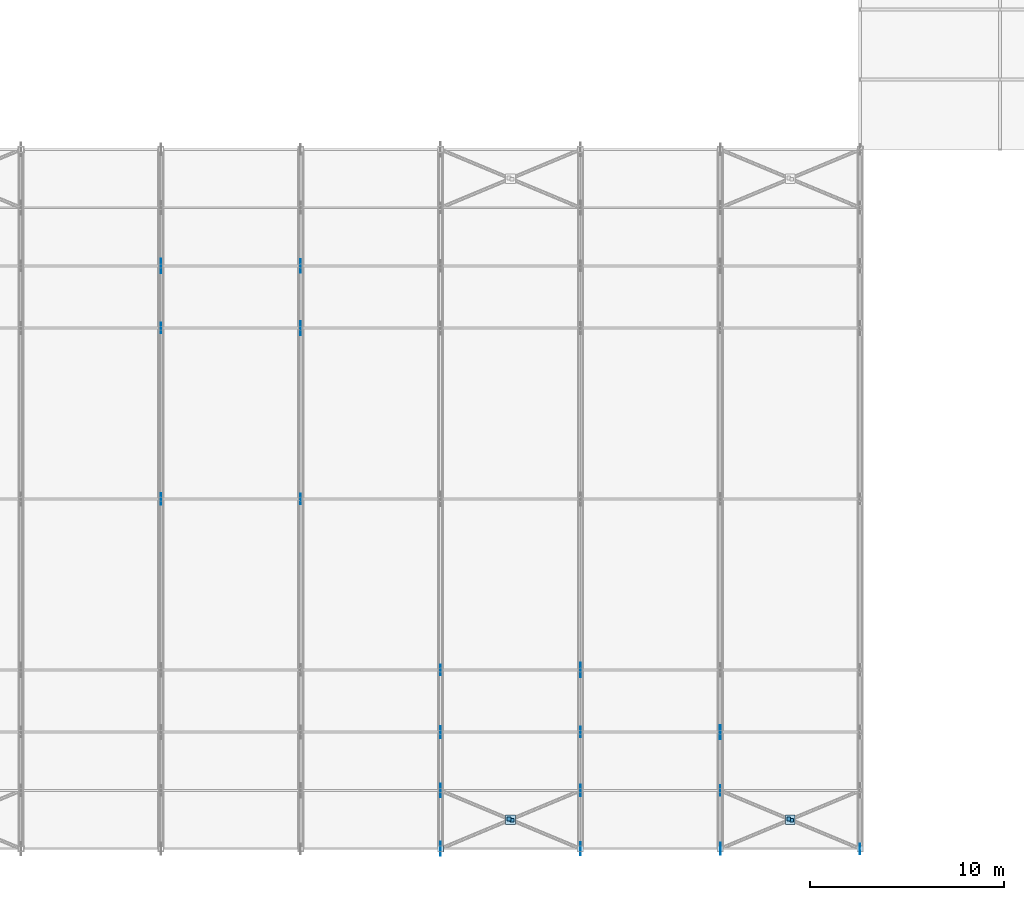
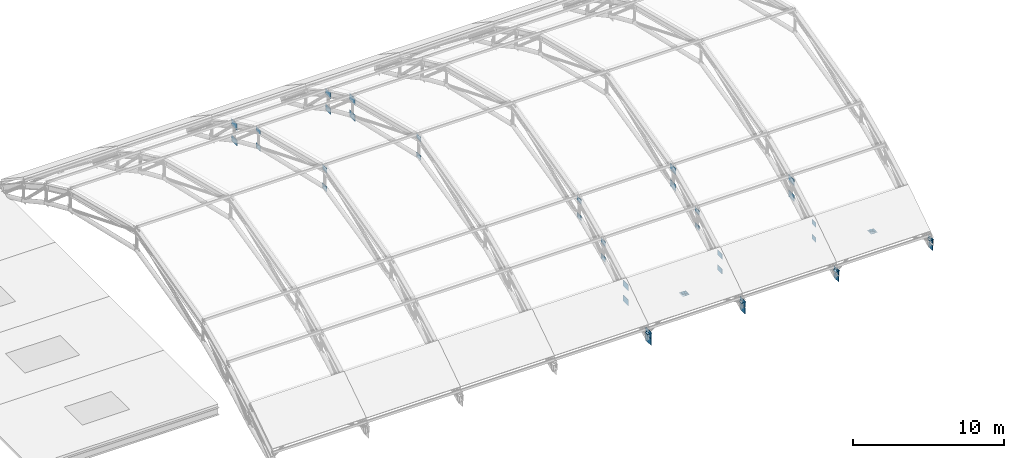
# One storey, part 46 of 63: 46 plates.
"""IFC4 building model written with IfcOpenShell, lengths in metres."""

from ifc_helpers import new_model, si_unit, direction, frame, origin, origin_2d, place, context, subcontext, project, spatial, rectangle, extrude, material, layer, layer_set, type_object, element, save


model = new_model("IFC4")

# Units and contexts
model_context = context("Model", 3, precision=1e-05, world=origin(), true_north=direction((0.0, 1.0)))
body_context = subcontext(model_context, "Body", "Model", "MODEL_VIEW")
ifc_project = project(units=[si_unit("LENGTHUNIT", "METRE"), si_unit("AREAUNIT", "SQUARE_METRE"), si_unit("VOLUMEUNIT", "CUBIC_METRE"), si_unit("PLANEANGLEUNIT", "RADIAN"), si_unit("MASSUNIT", "GRAM", prefix="KILO")], contexts=[model_context])

# Site, building, storey
site_placement = place(None, origin())
site = spatial("IfcSite", under=ifc_project, at=site_placement, CompositionType="ELEMENT")
building_placement = place(site_placement, origin())
building = spatial("IfcBuilding", under=site, at=building_placement, Name="Solvadek Multi-Sports Hall", CompositionType="ELEMENT")
storey_placement = place(building_placement, frame((0.0, 0.0, 19.199951171875)))
storey = spatial("IfcBuildingStorey", under=building, at=storey_placement, Name="RF", CompositionType="ELEMENT", Elevation=19.199951171875)

# Plates
ifc_material = material(Name="Steel E350 (350 MPa)", Category="steel")
ifc_layer_1 = layer(ifc_material, 0.01611328125, Name="Steel E350 (350 MPa)")
ifc_layer_set_1 = layer_set([ifc_layer_1], Name="Steel E350 (350 MPa)")
plate_type_1 = type_object("IfcPlateType", Name="STR-PLT-CAP16", PredefinedType="USERDEFINED", material=ifc_layer_set_1)
for number, where, z_axis, x_axis, name in (
    (1, (118.72119140625, 7.53271484375, -2.630859375), (0.0, 0.0, 1.0), (1.0, 0.0, 0.0), "V1 Half-Brace End Cap #14"),
    (2, (118.878662109375, 7.46728515625, -2.6748046875), (0.0, 0.0, 1.0), (1.0, 0.0, 0.0), "V1 Half-Brace End Cap #15"),
    (3, (133.121337890625, 7.53271484375, -2.630859375), (0.0, 0.0, 1.0), (1.0, 0.0, 0.0), "V1 Half-Brace End Cap #27"),
    (4, (133.27880859375, 7.46728515625, -2.6748046875), (0.0, 0.0, 1.0), (1.0, 0.0, 0.0), "V1 Half-Brace End Cap #28"),
):
    element("IfcPlate", number, at=place(storey_placement, frame(where, z_axis=z_axis, x_axis=x_axis)), inside=storey, type_object=plate_type_1, Name=name, ObjectType="BASE_PLATE", PredefinedType="USERDEFINED", context=body_context, shape_type="SweptSolid", body=[
        extrude(rectangle(XDim=0.18994140625, YDim=0.18994140625, at=origin_2d()), origin(), (0.0, 0.0, 1.0), 0.2099609375),
    ])
ifc_layer_2 = layer(ifc_material, 0.02001953125, Name="Steel E350 (350 MPa)")
ifc_layer_set_2 = layer_set([ifc_layer_2], Name="Steel E350 (350 MPa)")
plate_type_2 = type_object("IfcPlateType", Name="STR-PLT-CAP340", PredefinedType="USERDEFINED", material=ifc_layer_set_2)
for number, where, z_axis, x_axis, name in (
    (5, (115.199951171875, 6.0, -3.550048828125), (0.0, 0.0, 1.0), (1.0, 0.0, 0.0), "v1 Bearing Post Cap #5.0"),
    (6, (122.39990234375, 6.0, -3.550048828125), (0.0, 0.0, 1.0), (1.0, 0.0, 0.0), "v1 Bearing Post Cap #6.0"),
    (7, (129.60009765625, 6.0, -3.550048828125), (0.0, 0.0, 1.0), (1.0, 0.0, 0.0), "v1 Bearing Post Cap #7.0"),
    (8, (136.800048828125, 6.0, -3.550048828125), (0.0, 0.0, 1.0), (1.0, 0.0, 0.0), "v1 Bearing Post Cap #8.0"),
):
    element("IfcPlate", number, at=place(storey_placement, frame(where, z_axis=z_axis, x_axis=x_axis)), inside=storey, type_object=plate_type_2, Name=name, ObjectType="BASE_PLATE", PredefinedType="USERDEFINED", context=body_context, shape_type="SweptSolid", body=[
        extrude(rectangle(XDim=0.340087890625, YDim=0.340087890625, at=origin_2d()), origin(), (0.0, 0.0, 1.0), 0.02001953125),
    ])
ifc_layer_3 = layer(ifc_material, 0.02001953125, Name="Steel E350 (350 MPa)")
ifc_layer_set_3 = layer_set([ifc_layer_3], Name="Steel E350 (350 MPa)")
plate_type_3 = type_object("IfcPlateType", Name="STR-PLT-GP20", PredefinedType="USERDEFINED", material=ifc_layer_set_3)
for number, where, z_axis, x_axis, name in (
    (9, (118.800048828125, 7.5, -2.557861328125), (0.0, 0.0, 1.0), (1.0, 0.0, 0.0), "V1 Roof X-Brace Crossing Gusset #147"),
    (10, (133.199951171875, 7.5, -2.557861328125), (0.0, 0.0, 1.0), (1.0, 0.0, 0.0), "V1 Roof X-Brace Crossing Gusset #149"),
):
    element("IfcPlate", number, at=place(storey_placement, frame(where, z_axis=z_axis, x_axis=x_axis)), inside=storey, type_object=plate_type_3, Name=name, ObjectType="GUSSET_PLATE", PredefinedType="USERDEFINED", context=body_context, shape_type="SweptSolid", body=[
        extrude(rectangle(XDim=0.5, YDim=0.5, at=origin_2d()), origin(), (0.0, 0.0, 1.0), 0.02001953125),
    ])
ifc_layer_4 = layer(ifc_material, 0.02197265625, Name="Steel E350 (350 MPa)")
ifc_layer_set_4 = layer_set([ifc_layer_4], Name="Steel E350 (350 MPa)")
plate_type_4 = type_object("IfcPlateType", Name="STR-PLT-GUS540", PredefinedType="USERDEFINED", material=ifc_layer_set_4)
for number, where, z_axis, x_axis, name in (
    (11, (100.800048828125, 32.800048828125, 1.42919921875), (0.0, 0.0, 1.0), (0.0, 1.0, 0.0), "V1 Truss Top Gusset Plate #47"),
    (12, (100.800048828125, 32.800048828125, 0.10009765625), (0.0, 0.0, 1.0), (0.0, 1.0, 0.0), "V1 Truss Bottom Gusset Plate #48"),
    (13, (108.0, 24.0, 3.66015625), (0.0, 0.0, 1.0), (0.0, 1.0, 0.0), "V1 Truss Top Gusset Plate #63"),
    (14, (108.0, 24.0, 2.16015625), (0.0, 0.0, 1.0), (0.0, 1.0, 0.0), "V1 Truss Bottom Gusset Plate #64"),
    (15, (115.199951171875, 15.199951171875, 1.42919921875), (0.0, 0.0, 1.0), (0.0, 1.0, 0.0), "V1 Truss Top Gusset Plate #79"),
    (16, (115.199951171875, 15.199951171875, 0.10009765625), (0.0, 0.0, 1.0), (0.0, 1.0, 0.0), "V1 Truss Bottom Gusset Plate #80"),
    (17, (122.39990234375, 12.0, -0.039794921875), (0.0, 0.0, 1.0), (0.0, 1.0, 0.0), "V1 Truss Top Gusset Plate #95"),
    (18, (122.39990234375, 12.0, -1.306640625), (0.0, 0.0, 1.0), (0.0, 1.0, 0.0), "V1 Truss Bottom Gusset Plate #96"),
    (19, (129.60009765625, 9.0, -1.735595703125), (0.0, 0.0, 1.0), (0.0, 1.0, 0.0), "V1 Truss Top Gusset Plate #111"),
    (20, (129.60009765625, 9.0, -2.944091796875), (0.0, 0.0, 1.0), (0.0, 1.0, 0.0), "V1 Truss Bottom Gusset Plate #112"),
    (21, (136.800048828125, 6.0, -3.739990234375), (0.0, 0.0, 1.0), (0.0, 1.0, 0.0), "V1 Truss Top Gusset Plate #127"),
    (22, (136.800048828125, 6.0, -4.289794921875), (0.0, 0.0, 1.0), (0.0, 1.0, 0.0), "V1 Truss Bottom Gusset Plate #128"),
):
    element("IfcPlate", number, at=place(storey_placement, frame(where, z_axis=z_axis, x_axis=x_axis)), inside=storey, type_object=plate_type_4, Name=name, ObjectType="GUSSET_PLATE", PredefinedType="USERDEFINED", context=body_context, shape_type="SweptSolid", body=[
        extrude(rectangle(XDim=0.5400390625, YDim=0.02197265625, at=origin_2d()), origin(), (0.0, 0.0, 1.0), 0.3798828125),
    ])
ifc_layer_5 = layer(ifc_material, 0.02392578125, Name="Steel E350 (350 MPa)")
ifc_layer_set_5 = layer_set([ifc_layer_5], Name="Steel E350 (350 MPa)")
plate_type_5 = type_object("IfcPlateType", Name="STR-PLT-GUS600", PredefinedType="USERDEFINED", material=ifc_layer_set_5)
for number, where, z_axis, x_axis, name in (
    (23, (100.800048828125, 24.0, 3.64013671875), (0.0, 0.0, 1.0), (0.0, 1.0, 0.0), "V1 Truss Top Gusset Plate #45"),
    (24, (100.800048828125, 24.0, 2.14013671875), (0.0, 0.0, 1.0), (0.0, 1.0, 0.0), "V1 Truss Bottom Gusset Plate #46"),
    (25, (115.199951171875, 12.0, -0.059814453125), (0.0, 0.0, 1.0), (0.0, 1.0, 0.0), "V1 Truss Top Gusset Plate #77"),
    (26, (115.199951171875, 12.0, -1.32666015625), (0.0, 0.0, 1.0), (0.0, 1.0, 0.0), "V1 Truss Bottom Gusset Plate #78"),
    (27, (122.39990234375, 9.0, -1.755615234375), (0.0, 0.0, 1.0), (0.0, 1.0, 0.0), "V1 Truss Top Gusset Plate #93"),
    (28, (122.39990234375, 9.0, -2.964111328125), (0.0, 0.0, 1.0), (0.0, 1.0, 0.0), "V1 Truss Bottom Gusset Plate #94"),
    (29, (129.60009765625, 6.0, -3.760009765625), (0.0, 0.0, 1.0), (0.0, 1.0, 0.0), "V1 Truss Top Gusset Plate #109"),
    (30, (129.60009765625, 6.0, -4.309814453125), (0.0, 0.0, 1.0), (0.0, 1.0, 0.0), "V1 Truss Bottom Gusset Plate #110"),
):
    element("IfcPlate", number, at=place(storey_placement, frame(where, z_axis=z_axis, x_axis=x_axis)), inside=storey, type_object=plate_type_5, Name=name, ObjectType="GUSSET_PLATE", PredefinedType="USERDEFINED", context=body_context, shape_type="SweptSolid", body=[
        extrude(rectangle(XDim=0.60009765625, YDim=0.02392578125, at=origin_2d()), origin(), (0.0, 0.0, 1.0), 0.419921875),
    ])
ifc_layer_6 = layer(ifc_material, 0.02587890625, Name="Steel E350 (350 MPa)")
ifc_layer_set_6 = layer_set([ifc_layer_6], Name="Steel E350 (350 MPa)")
plate_type_6 = type_object("IfcPlateType", Name="STR-PLT-GUS680", PredefinedType="USERDEFINED", material=ifc_layer_set_6)
for number, where, z_axis, x_axis, name in (
    (31, (108.0, 36.0, -0.08984375), (0.0, 0.0, 1.0), (0.0, 1.0, 0.0), "V1 Truss Top Gusset Plate #67"),
    (32, (108.0, 36.0, -1.356689453125), (0.0, 0.0, 1.0), (0.0, 1.0, 0.0), "V1 Truss Bottom Gusset Plate #68"),
    (33, (115.199951171875, 9.0, -1.78564453125), (0.0, 0.0, 1.0), (0.0, 1.0, 0.0), "V1 Truss Top Gusset Plate #75"),
    (34, (115.199951171875, 9.0, -2.994140625), (0.0, 0.0, 1.0), (0.0, 1.0, 0.0), "V1 Truss Bottom Gusset Plate #76"),
    (35, (122.39990234375, 6.0, -3.7900390625), (0.0, 0.0, 1.0), (0.0, 1.0, 0.0), "V1 Truss Top Gusset Plate #91"),
    (36, (122.39990234375, 6.0, -4.33984375), (0.0, 0.0, 1.0), (0.0, 1.0, 0.0), "V1 Truss Bottom Gusset Plate #92"),
):
    element("IfcPlate", number, at=place(storey_placement, frame(where, z_axis=z_axis, x_axis=x_axis)), inside=storey, type_object=plate_type_6, Name=name, ObjectType="GUSSET_PLATE", PredefinedType="USERDEFINED", context=body_context, shape_type="SweptSolid", body=[
        extrude(rectangle(XDim=0.679931640625, YDim=0.02587890625, at=origin_2d()), origin(), (0.0, 0.0, 1.0), 0.47998046875),
    ])
ifc_layer_7 = layer(ifc_material, 0.028076171875, Name="Steel E350 (350 MPa)")
ifc_layer_set_7 = layer_set([ifc_layer_7], Name="Steel E350 (350 MPa)")
plate_type_7 = type_object("IfcPlateType", Name="STR-PLT-GUS740", PredefinedType="USERDEFINED", material=ifc_layer_set_7)
for number, where, z_axis, x_axis, name in (
    (37, (100.800048828125, 36.0, -0.10986328125), (0.0, 0.0, 1.0), (0.0, 1.0, 0.0), "V1 Truss Top Gusset Plate #49"),
    (38, (100.800048828125, 36.0, -1.376708984375), (0.0, 0.0, 1.0), (0.0, 1.0, 0.0), "V1 Truss Bottom Gusset Plate #50"),
    (39, (108.0, 32.800048828125, 1.359130859375), (0.0, 0.0, 1.0), (0.0, 1.0, 0.0), "V1 Truss Top Gusset Plate #65"),
    (40, (108.0, 32.800048828125, 0.030029296875), (0.0, 0.0, 1.0), (0.0, 1.0, 0.0), "V1 Truss Bottom Gusset Plate #66"),
    (41, (115.199951171875, 6.0, -3.81005859375), (0.0, 0.0, 1.0), (0.0, 1.0, 0.0), "V1 Truss Top Gusset Plate #73"),
    (42, (115.199951171875, 6.0, -4.35986328125), (0.0, 0.0, 1.0), (0.0, 1.0, 0.0), "V1 Truss Bottom Gusset Plate #74"),
    (43, (122.39990234375, 15.199951171875, 1.359130859375), (0.0, 0.0, 1.0), (0.0, 1.0, 0.0), "V1 Truss Top Gusset Plate #97"),
    (44, (122.39990234375, 15.199951171875, 0.030029296875), (0.0, 0.0, 1.0), (0.0, 1.0, 0.0), "V1 Truss Bottom Gusset Plate #98"),
    (45, (129.60009765625, 12.0, -0.10986328125), (0.0, 0.0, 1.0), (0.0, 1.0, 0.0), "V1 Truss Top Gusset Plate #113"),
    (46, (129.60009765625, 12.0, -1.376708984375), (0.0, 0.0, 1.0), (0.0, 1.0, 0.0), "V1 Truss Bottom Gusset Plate #114"),
):
    element("IfcPlate", number, at=place(storey_placement, frame(where, z_axis=z_axis, x_axis=x_axis)), inside=storey, type_object=plate_type_7, Name=name, ObjectType="GUSSET_PLATE", PredefinedType="USERDEFINED", context=body_context, shape_type="SweptSolid", body=[
        extrude(rectangle(XDim=0.739990234375, YDim=0.028076171875, at=origin_2d()), origin(), (0.0, 0.0, 1.0), 0.52001953125),
    ])

save(model, "model.ifc")
